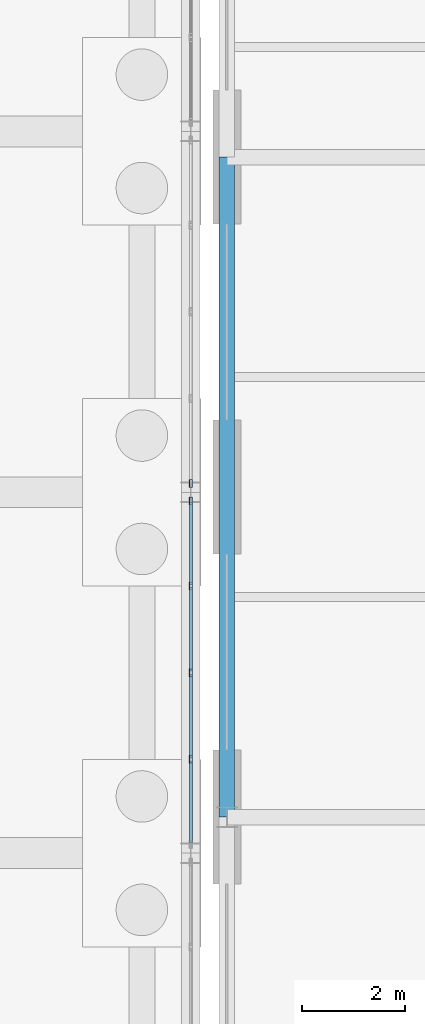
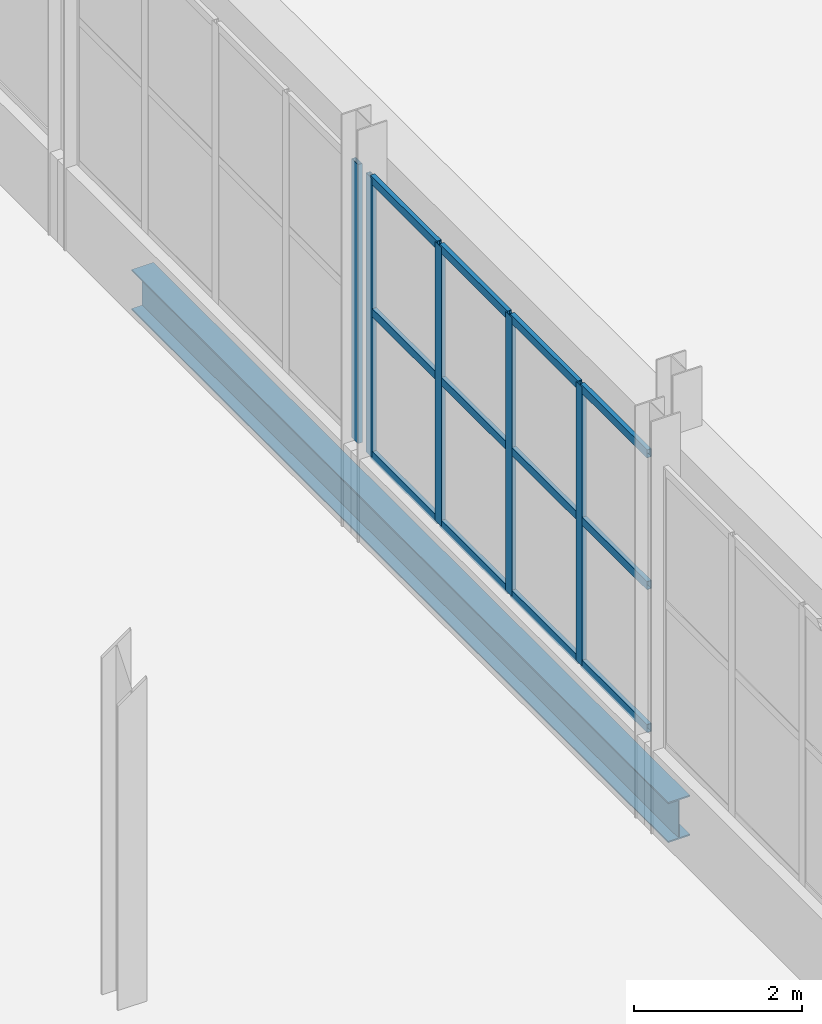
# One storey, part 61 of 139: 17 members, 1 beam, 2 elements without a shape of their own.
"""IFC4 building model written with IfcOpenShell, lengths in metres."""

from ifc_helpers import new_model, si_unit, direction, frame, origin, origin_2d, place, context, subcontext, project, spatial, hollow_rectangle, i_section, extrude, material, material_profile, profile_set, type_object, element, aggregate, save


model = new_model("IFC4")

# Units and contexts
model_context = context("Model", 3, precision=1e-05, world=origin(), true_north=direction((0.0, 1.0)))
body_context = subcontext(model_context, "Body", "Model", "MODEL_VIEW")
ifc_project = project(units=[si_unit("LENGTHUNIT", "METRE"), si_unit("AREAUNIT", "SQUARE_METRE"), si_unit("VOLUMEUNIT", "CUBIC_METRE"), si_unit("PLANEANGLEUNIT", "RADIAN"), si_unit("MASSUNIT", "GRAM", prefix="KILO")], contexts=[model_context])

# Site, building, storey
site_placement = place(None, origin())
site = spatial("IfcSite", under=ifc_project, at=site_placement, CompositionType="ELEMENT")
building_placement = place(site_placement, origin())
building = spatial("IfcBuilding", under=site, at=building_placement, Name="Kazenagashi Tramway Depot", CompositionType="ELEMENT")
storey_placement = place(building_placement, origin())
storey = spatial("IfcBuildingStorey", under=building, at=storey_placement, Name="L01", CompositionType="ELEMENT", Elevation=0.0)

# Curtain wall, members
ifc_material_1 = material(Name="Anodised Aluminium and Low-E Glazing", Category="aluminium")
curtain_wall_type = type_object("IfcCurtainWallType", Name="CW-33", PredefinedType="USERDEFINED", material=ifc_material_1)
curtain_wall_1_placement = place(storey_placement, origin())
curtain_wall_1 = element("IfcCurtainWall", 1, at=curtain_wall_1_placement, inside=storey, type_object=curtain_wall_type, Name="Industrial Glazed Screen CW-33 CW-0189", ObjectType="GLAZED SCREEN", PredefinedType="USERDEFINED")
ifc_material_2 = material(Name="Anodised Aluminium", Category="aluminium")
ifc_material_profile_1 = material_profile(ifc_material_2, hollow_rectangle(XDim=0.06, YDim=0.15, WallThickness=0.004, at=origin_2d()), Name="RHS-150x60x4")
ifc_profile_set_1 = profile_set([ifc_material_profile_1], Name="Anodised Aluminium")
member_type_1 = type_object("IfcMemberType", Name="ML-01", PredefinedType="MULLION", material=ifc_profile_set_1)
member_1_placement = place(storey_placement, frame((44.1, 36.82, 1.2), z_axis=(0.0, 0.0, 1.0), x_axis=(-1.0, 0.0, 0.0)))
member_1 = element("IfcMember", 2, at=member_1_placement, type_object=member_type_1, Name="CW-33 mullion 2", PredefinedType="MULLION", context=body_context, shape_type="SweptSolid", body=[
    extrude(hollow_rectangle(XDim=0.06, YDim=0.15, WallThickness=0.004, at=origin_2d()), origin(), (0.0, 0.0, 1.0), 4.062),
])
member_2_placement = place(storey_placement, frame((44.1, 38.5, 1.2), z_axis=(0.0, 0.0, 1.0), x_axis=(-1.0, 0.0, 0.0)))
member_2 = element("IfcMember", 3, at=member_2_placement, type_object=member_type_1, Name="CW-33 mullion 3", PredefinedType="MULLION", context=body_context, shape_type="SweptSolid", body=[
    extrude(hollow_rectangle(XDim=0.06, YDim=0.15, WallThickness=0.004, at=origin_2d()), origin(), (0.0, 0.0, 1.0), 4.062),
])
member_3_placement = place(storey_placement, frame((44.1, 40.18, 1.2), z_axis=(0.0, 0.0, 1.0), x_axis=(-1.0, 0.0, 0.0)))
member_3 = element("IfcMember", 4, at=member_3_placement, type_object=member_type_1, Name="CW-33 mullion 4", PredefinedType="MULLION", context=body_context, shape_type="SweptSolid", body=[
    extrude(hollow_rectangle(XDim=0.06, YDim=0.15, WallThickness=0.004, at=origin_2d()), origin(), (0.0, 0.0, 1.0), 4.062),
])
member_4_placement = place(storey_placement, frame((44.1, 41.83, 1.2), z_axis=(0.0, 0.0, 1.0), x_axis=(-1.0, 0.0, 0.0)))
member_4 = element("IfcMember", 5, at=member_4_placement, type_object=member_type_1, Name="CW-33 mullion 5", PredefinedType="MULLION", context=body_context, shape_type="SweptSolid", body=[
    extrude(hollow_rectangle(XDim=0.06, YDim=0.15, WallThickness=0.004, at=origin_2d()), origin(), (0.0, 0.0, 1.0), 4.062),
])

# Curtain wall, member
curtain_wall_2_placement = place(storey_placement, origin())
curtain_wall_2 = element("IfcCurtainWall", 6, at=curtain_wall_2_placement, inside=storey, type_object=curtain_wall_type, Name="Industrial Glazed Screen CW-33 CW-0191", ObjectType="GLAZED SCREEN", PredefinedType="USERDEFINED")
member_5_placement = place(storey_placement, frame((44.1, 42.17, 1.2), z_axis=(0.0, 0.0, 1.0), x_axis=(-1.0, 0.0, 0.0)))
member_5 = element("IfcMember", 7, at=member_5_placement, type_object=member_type_1, Name="CW-33 mullion 1", PredefinedType="MULLION", context=body_context, shape_type="SweptSolid", body=[
    extrude(hollow_rectangle(XDim=0.06, YDim=0.15, WallThickness=0.004, at=origin_2d()), origin(), (0.0, 0.0, 1.0), 4.062),
])
aggregate(curtain_wall_2, [member_5])

# Beam
ifc_material_3 = material(Name="Steel SN490B", Category="steel")
ifc_material_profile_2 = material_profile(ifc_material_3, i_section(OverallWidth=0.3, OverallDepth=0.588, WebThickness=0.012, FlangeThickness=0.02, at=origin_2d()), Name="H-588x300x12x20")
ifc_profile_set_2 = profile_set([ifc_material_profile_2], Name="Steel SN490B")
beam_type = type_object("IfcBeamType", Name="SP-01", PredefinedType="SPANDREL", material=ifc_profile_set_2)
beam_placement = place(storey_placement, frame((44.8, 35.7, -0.644), z_axis=(0.0, 1.0, 0.0), x_axis=(-1.0, 0.0, 0.0)))
element("IfcBeam", 8, at=beam_placement, inside=storey, type_object=beam_type, Name="Beam SP-01 BM-0807", PredefinedType="SPANDREL", context=body_context, shape_type="SweptSolid", body=[
    extrude(i_section(OverallWidth=0.3, OverallDepth=0.588, WebThickness=0.012, FlangeThickness=0.02, at=origin_2d()), origin(), (0.0, 0.0, 1.0), 12.8),
])

# Member
ifc_material_profile_3 = material_profile(ifc_material_2, hollow_rectangle(XDim=0.06, YDim=0.12, WallThickness=0.004, at=origin_2d()), Name="RHS-120x60x4")
ifc_profile_set_3 = profile_set([ifc_material_profile_3], Name="Anodised Aluminium")
member_type_2 = type_object("IfcMemberType", Name="TR-01", PredefinedType="USERDEFINED", material=ifc_profile_set_3)
member_6_placement = place(storey_placement, frame((44.1, 35.2, 1.23), z_axis=(0.0, 1.0, 0.0), x_axis=(-1.0, 0.0, 0.0)))
member_6 = element("IfcMember", 9, at=member_6_placement, type_object=member_type_2, Name="CW-33 transom 1.1", ObjectType="TRANSOM", PredefinedType="USERDEFINED", context=body_context, shape_type="SweptSolid", body=[
    extrude(hollow_rectangle(XDim=0.06, YDim=0.12, WallThickness=0.004, at=origin_2d()), origin(), (0.0, 0.0, 1.0), 1.59),
])

member_7_placement = place(storey_placement, frame((44.1, 35.2, 3.312), z_axis=(0.0, 1.0, 0.0), x_axis=(-1.0, 0.0, 0.0)))
member_7 = element("IfcMember", 10, at=member_7_placement, type_object=member_type_2, Name="CW-33 transom 1.2", ObjectType="TRANSOM", PredefinedType="USERDEFINED", context=body_context, shape_type="SweptSolid", body=[
    extrude(hollow_rectangle(XDim=0.06, YDim=0.12, WallThickness=0.004, at=origin_2d()), origin(), (0.0, 0.0, 1.0), 1.59),
])

member_8_placement = place(storey_placement, frame((44.1, 35.2, 5.232), z_axis=(0.0, 1.0, 0.0), x_axis=(-1.0, 0.0, 0.0)))
member_8 = element("IfcMember", 11, at=member_8_placement, type_object=member_type_2, Name="CW-33 transom 1.3", ObjectType="TRANSOM", PredefinedType="USERDEFINED", context=body_context, shape_type="SweptSolid", body=[
    extrude(hollow_rectangle(XDim=0.06, YDim=0.12, WallThickness=0.004, at=origin_2d()), origin(), (0.0, 0.0, 1.0), 1.59),
])

member_9_placement = place(storey_placement, frame((44.1, 36.85, 1.23), z_axis=(0.0, 1.0, 0.0), x_axis=(-1.0, 0.0, 0.0)))
member_9 = element("IfcMember", 12, at=member_9_placement, type_object=member_type_2, Name="CW-33 transom 2.1", ObjectType="TRANSOM", PredefinedType="USERDEFINED", context=body_context, shape_type="SweptSolid", body=[
    extrude(hollow_rectangle(XDim=0.06, YDim=0.12, WallThickness=0.004, at=origin_2d()), origin(), (0.0, 0.0, 1.0), 1.62),
])

member_10_placement = place(storey_placement, frame((44.1, 36.85, 3.312), z_axis=(0.0, 1.0, 0.0), x_axis=(-1.0, 0.0, 0.0)))
member_10 = element("IfcMember", 13, at=member_10_placement, type_object=member_type_2, Name="CW-33 transom 2.2", ObjectType="TRANSOM", PredefinedType="USERDEFINED", context=body_context, shape_type="SweptSolid", body=[
    extrude(hollow_rectangle(XDim=0.06, YDim=0.12, WallThickness=0.004, at=origin_2d()), origin(), (0.0, 0.0, 1.0), 1.62),
])

member_11_placement = place(storey_placement, frame((44.1, 36.85, 5.232), z_axis=(0.0, 1.0, 0.0), x_axis=(-1.0, 0.0, 0.0)))
member_11 = element("IfcMember", 14, at=member_11_placement, type_object=member_type_2, Name="CW-33 transom 2.3", ObjectType="TRANSOM", PredefinedType="USERDEFINED", context=body_context, shape_type="SweptSolid", body=[
    extrude(hollow_rectangle(XDim=0.06, YDim=0.12, WallThickness=0.004, at=origin_2d()), origin(), (0.0, 0.0, 1.0), 1.62),
])

member_12_placement = place(storey_placement, frame((44.1, 38.53, 1.23), z_axis=(0.0, 1.0, 0.0), x_axis=(-1.0, 0.0, 0.0)))
member_12 = element("IfcMember", 15, at=member_12_placement, type_object=member_type_2, Name="CW-33 transom 3.1", ObjectType="TRANSOM", PredefinedType="USERDEFINED", context=body_context, shape_type="SweptSolid", body=[
    extrude(hollow_rectangle(XDim=0.06, YDim=0.12, WallThickness=0.004, at=origin_2d()), origin(), (0.0, 0.0, 1.0), 1.62),
])

member_13_placement = place(storey_placement, frame((44.1, 38.53, 3.312), z_axis=(0.0, 1.0, 0.0), x_axis=(-1.0, 0.0, 0.0)))
member_13 = element("IfcMember", 16, at=member_13_placement, type_object=member_type_2, Name="CW-33 transom 3.2", ObjectType="TRANSOM", PredefinedType="USERDEFINED", context=body_context, shape_type="SweptSolid", body=[
    extrude(hollow_rectangle(XDim=0.06, YDim=0.12, WallThickness=0.004, at=origin_2d()), origin(), (0.0, 0.0, 1.0), 1.62),
])

member_14_placement = place(storey_placement, frame((44.1, 38.53, 5.232), z_axis=(0.0, 1.0, 0.0), x_axis=(-1.0, 0.0, 0.0)))
member_14 = element("IfcMember", 17, at=member_14_placement, type_object=member_type_2, Name="CW-33 transom 3.3", ObjectType="TRANSOM", PredefinedType="USERDEFINED", context=body_context, shape_type="SweptSolid", body=[
    extrude(hollow_rectangle(XDim=0.06, YDim=0.12, WallThickness=0.004, at=origin_2d()), origin(), (0.0, 0.0, 1.0), 1.62),
])

member_15_placement = place(storey_placement, frame((44.1, 40.21, 1.23), z_axis=(0.0, 1.0, 0.0), x_axis=(-1.0, 0.0, 0.0)))
member_15 = element("IfcMember", 18, at=member_15_placement, type_object=member_type_2, Name="CW-33 transom 4.1", ObjectType="TRANSOM", PredefinedType="USERDEFINED", context=body_context, shape_type="SweptSolid", body=[
    extrude(hollow_rectangle(XDim=0.06, YDim=0.12, WallThickness=0.004, at=origin_2d()), origin(), (0.0, 0.0, 1.0), 1.59),
])

member_16_placement = place(storey_placement, frame((44.1, 40.21, 3.312), z_axis=(0.0, 1.0, 0.0), x_axis=(-1.0, 0.0, 0.0)))
member_16 = element("IfcMember", 19, at=member_16_placement, type_object=member_type_2, Name="CW-33 transom 4.2", ObjectType="TRANSOM", PredefinedType="USERDEFINED", context=body_context, shape_type="SweptSolid", body=[
    extrude(hollow_rectangle(XDim=0.06, YDim=0.12, WallThickness=0.004, at=origin_2d()), origin(), (0.0, 0.0, 1.0), 1.59),
])

member_17_placement = place(storey_placement, frame((44.1, 40.21, 5.232), z_axis=(0.0, 1.0, 0.0), x_axis=(-1.0, 0.0, 0.0)))
member_17 = element("IfcMember", 20, at=member_17_placement, type_object=member_type_2, Name="CW-33 transom 4.3", ObjectType="TRANSOM", PredefinedType="USERDEFINED", context=body_context, shape_type="SweptSolid", body=[
    extrude(hollow_rectangle(XDim=0.06, YDim=0.12, WallThickness=0.004, at=origin_2d()), origin(), (0.0, 0.0, 1.0), 1.59),
])

aggregate(curtain_wall_1, [member_1, member_2, member_3, member_4, member_6, member_7, member_8, member_9, member_10, member_11, member_12, member_13, member_14, member_15, member_16, member_17])

save(model, "model.ifc")
